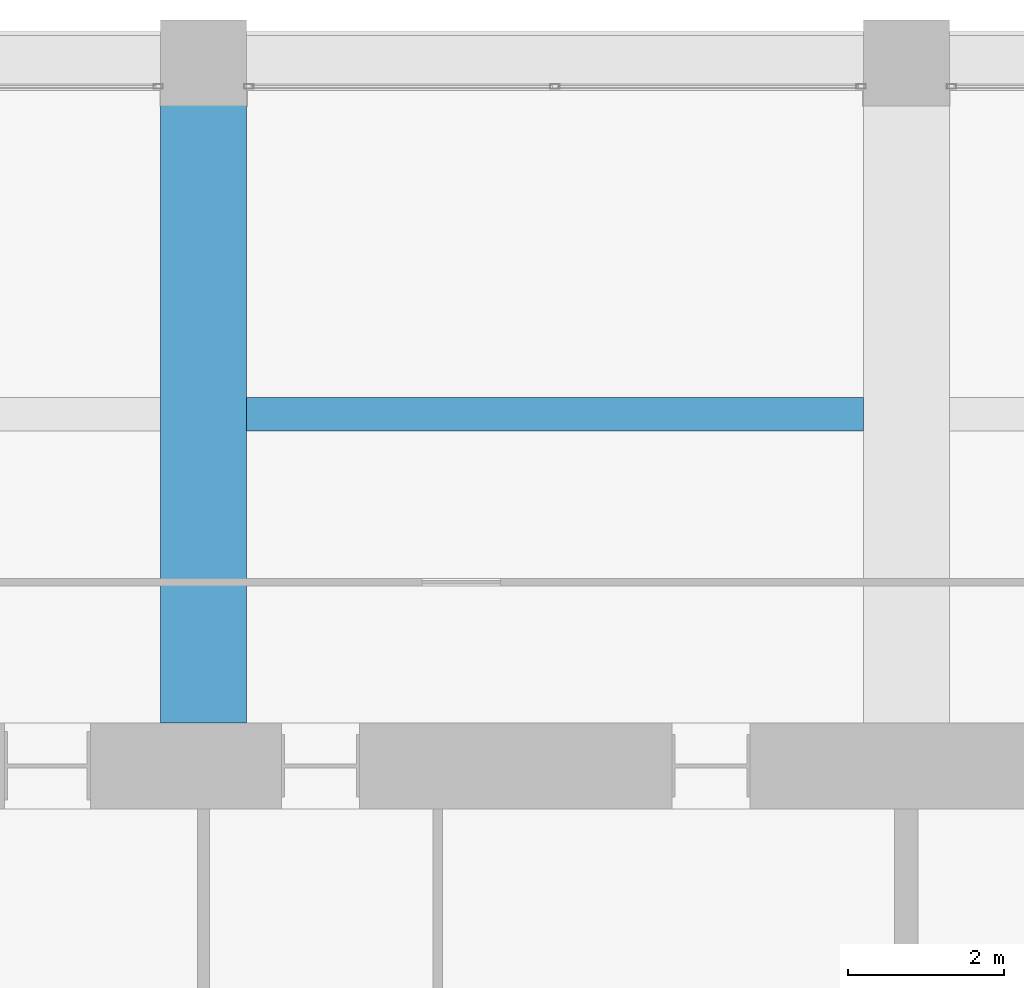
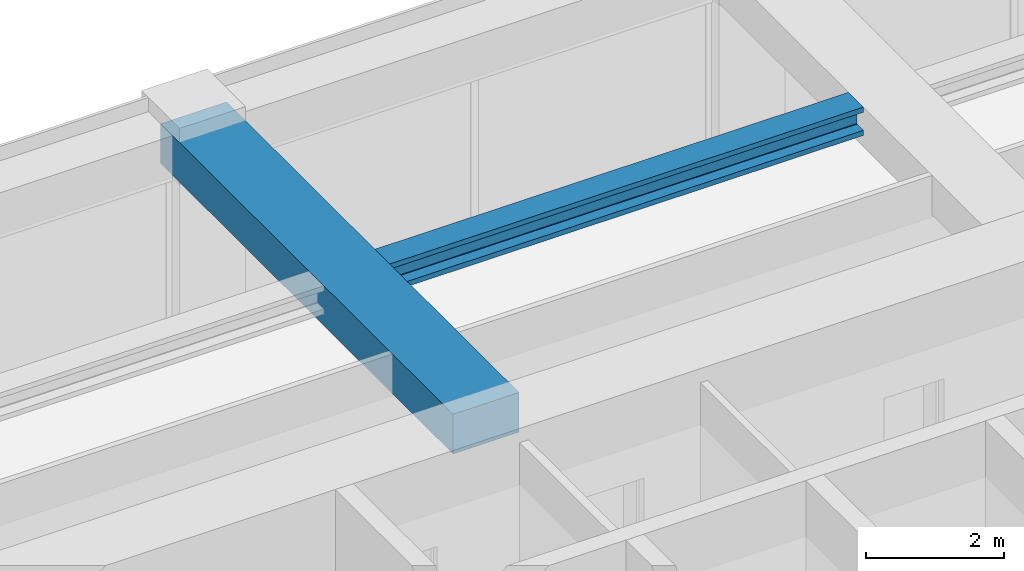
# One storey, part 32 of 44: 2 beams.
"""IFC4 building model written with IfcOpenShell, lengths in metres."""

from ifc_helpers import new_model, si_unit, direction, frame, origin, origin_2d, place, context, subcontext, project, spatial, rectangle, i_section, extrude, material, material_profile, profile_set, type_object, element, save


model = new_model("IFC4")

# Units and contexts
model_context = context("Model", 3, precision=1e-05, world=origin(), true_north=direction((0.0, 1.0)))
body_context = subcontext(model_context, "Body", "Model", "MODEL_VIEW")
ifc_project = project(units=[si_unit("LENGTHUNIT", "METRE"), si_unit("AREAUNIT", "SQUARE_METRE"), si_unit("VOLUMEUNIT", "CUBIC_METRE"), si_unit("PLANEANGLEUNIT", "RADIAN"), si_unit("MASSUNIT", "GRAM", prefix="KILO")], contexts=[model_context])

# Site, building, storey
site_placement = place(None, origin())
site = spatial("IfcSite", under=ifc_project, at=site_placement, CompositionType="ELEMENT")
building_placement = place(site_placement, origin())
building = spatial("IfcBuilding", under=site, at=building_placement, Name="Zorevar Civic Tower", CompositionType="ELEMENT")
storey_placement = place(building_placement, frame((0.0, 0.0, 267.39990234375)))
storey = spatial("IfcBuildingStorey", under=building, at=storey_placement, Name="L65", CompositionType="ELEMENT", Elevation=267.39990234375)

# Beams
ifc_material_1 = material(Name="Concrete C50/60", Category="concrete")
ifc_material_profile_1 = material_profile(ifc_material_1, rectangle(XDim=1.10009765625, YDim=0.699951171875, at=origin_2d()), Name="RC 1100x700")
ifc_profile_set_1 = profile_set([ifc_material_profile_1], Name="Concrete C50/60")
beam_type_1 = type_object("IfcBeamType", Name="Beam RC 1100x700", PredefinedType="BEAM", material=ifc_profile_set_1)
beam_1_placement = place(storey_placement, frame((27.0, 36.550048828125, 3.400146484375), z_axis=(0.0, 1.0, 0.0), x_axis=(-1.0, 0.0, 0.0)))
element("IfcBeam", 1, at=beam_1_placement, inside=storey, type_object=beam_type_1, Name="Girder L66", PredefinedType="BEAM", context=body_context, shape_type="SweptSolid", body=[
    extrude(rectangle(XDim=1.10009765625, YDim=0.699951171875, at=origin_2d()), origin(), (0.0, 0.0, 1.0), 8.449951171875),
])
ifc_material_2 = material(Name="Steel S460M (HISTAR 460)", Category="steel")
ifc_material_profile_2 = material_profile(ifc_material_2, i_section(OverallWidth=0.431884765625, OverallDepth=0.498046875, WebThickness=0.0556640625, FlangeThickness=0.0888671875, FilletRadius=0.014892578125, at=origin_2d()), Name="HD 400x744")
ifc_profile_set_2 = profile_set([ifc_material_profile_2], Name="Steel S460M (HISTAR 460)")
beam_type_2 = type_object("IfcBeamType", Name="Core bay beam HD 400x744", PredefinedType="BEAM", material=ifc_profile_set_2)
beam_2_placement = place(storey_placement, frame((27.550048828125, 40.5, 3.5009765625), z_axis=(1.0, 0.0, 0.0), x_axis=(0.0, 1.0, 0.0)))
element("IfcBeam", 2, at=beam_2_placement, inside=storey, type_object=beam_type_2, Name="Secondary beam L66", PredefinedType="BEAM", context=body_context, shape_type="SweptSolid", body=[
    extrude(i_section(OverallWidth=0.431884765625, OverallDepth=0.498046875, WebThickness=0.0556640625, FlangeThickness=0.0888671875, FilletRadius=0.014892578125, at=origin_2d()), origin(), (0.0, 0.0, 1.0), 7.89990234375),
])

save(model, "model.ifc")
